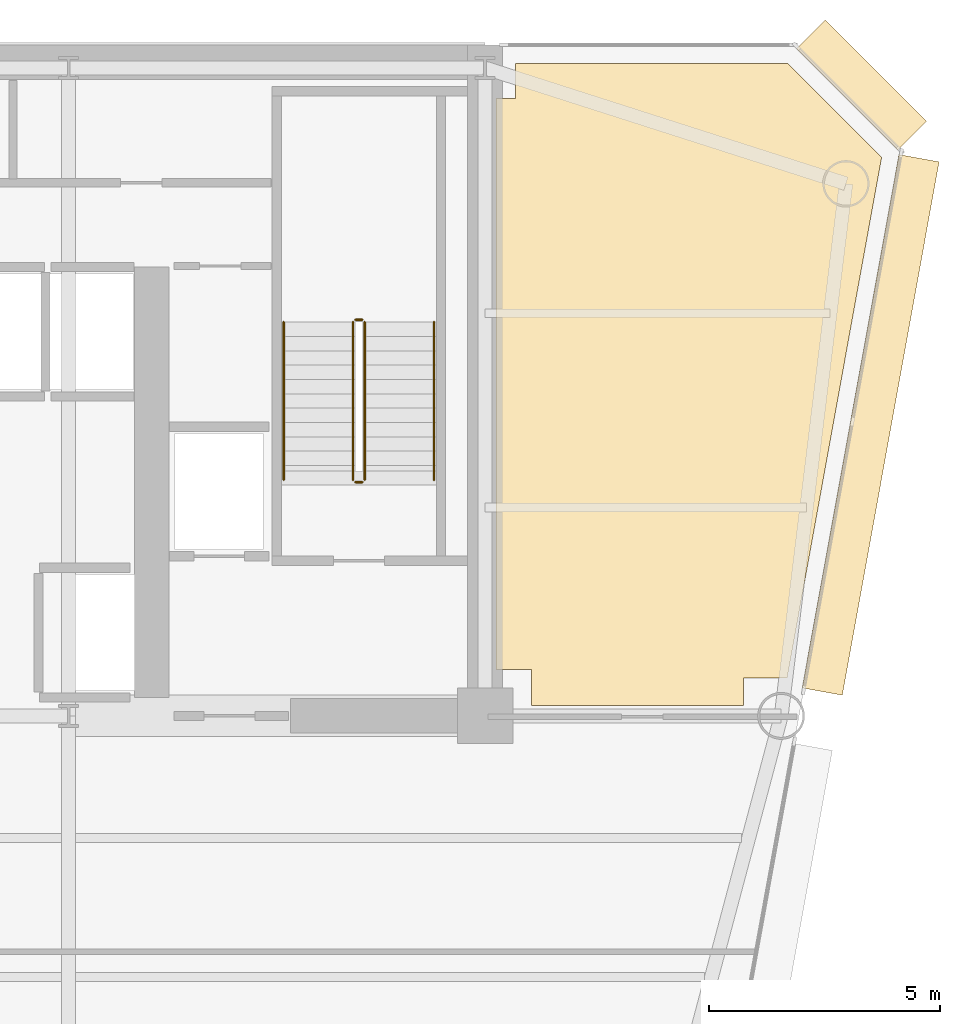
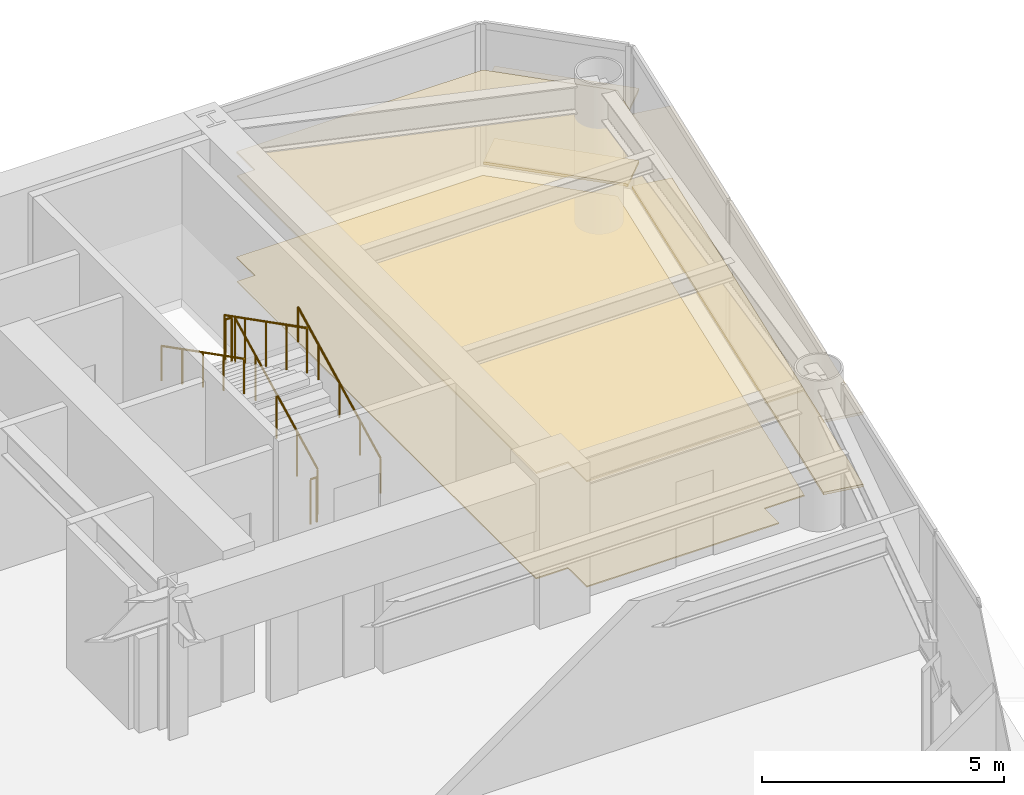
# One storey, part 14 of 14: 6 coverings, 6 railings.
"""IFC4 building model written with IfcOpenShell, lengths in metres."""

from ifc_helpers import new_model, si_unit, direction, frame, origin, origin_2d, place, context, subcontext, project, spatial, polyline, rectangle, circle, outline, extrude, source, transform, mapped, material, layer, layer_set, type_object, element, save


model = new_model("IFC4")

# Units and contexts
model_context = context("Model", 3, precision=1e-05, world=origin(), true_north=direction((0.0, 1.0)))
body_context = subcontext(model_context, "Body", "Model", "MODEL_VIEW")
ifc_project = project(units=[si_unit("LENGTHUNIT", "METRE"), si_unit("AREAUNIT", "SQUARE_METRE"), si_unit("VOLUMEUNIT", "CUBIC_METRE"), si_unit("PLANEANGLEUNIT", "RADIAN"), si_unit("MASSUNIT", "GRAM", prefix="KILO")], contexts=[model_context])

# Site, building, storey
site_placement = place(None, origin())
site = spatial("IfcSite", under=ifc_project, at=site_placement, CompositionType="ELEMENT")
building_placement = place(site_placement, origin())
building = spatial("IfcBuilding", under=site, at=building_placement, Name="Vaeldorn Concourse Tower", CompositionType="ELEMENT")
storey_placement = place(building_placement, frame((0.0, 0.0, 141.39990234375)))
storey = spatial("IfcBuildingStorey", under=building, at=storey_placement, Name="L36", CompositionType="ELEMENT", Elevation=141.39990234375)

# Coverings
ifc_material_1 = material(Name="Acoustic Mineral Fibre Board", Category="gypsum")
ifc_layer_1 = layer(ifc_material_1, 0.0400390625)
ifc_layer_set_1 = layer_set([ifc_layer_1], Name="Acoustic Mineral Fibre Board")
covering_type_1 = type_object("IfcCoveringType", Name="COV-CEIL-ACOUSTIC", PredefinedType="CEILING", material=ifc_layer_set_1)
covering_1_placement = place(storey_placement, frame((0.0, 0.0, 2.650146484375)))
element("IfcCovering", 1, at=covering_1_placement, inside=storey, type_object=covering_type_1, Name="Suspended Acoustic Ceiling L36-5", PredefinedType="CEILING", context=body_context, shape_type="SweptSolid", body=[
    extrude(outline(polyline([(54.659912109375, 49.840087890625), (54.659912109375, 50.60009765625), (60.5341796875, 50.60009765625), (62.569091796875, 48.565185546875), (60.528564453125, 37.320068359375), (59.580078125, 37.320068359375), (59.580078125, 36.719970703125), (55.0, 36.719970703125), (55.0, 37.5), (54.239990234375, 37.5), (54.239990234375, 49.840087890625), (54.659912109375, 49.840087890625)])), origin(), (0.0, 0.0, 1.0), 0.0400390625),
])
ifc_material_2 = material(Name="Honed Limestone Terrazzo Flooring", Category="masonry")
ifc_layer_2 = layer(ifc_material_2, 0.0400390625)
ifc_layer_set_2 = layer_set([ifc_layer_2], Name="Honed Limestone Terrazzo Flooring")
covering_type_2 = type_object("IfcCoveringType", Name="COV-FLOOR-STONE", PredefinedType="FLOORING", material=ifc_layer_set_2)
covering_2_placement = place(storey_placement, origin())
element("IfcCovering", 2, at=covering_2_placement, inside=storey, type_object=covering_type_2, Name="Floor Finish Covering L36-5", PredefinedType="FLOORING", context=body_context, shape_type="SweptSolid", body=[
    extrude(outline(polyline([(54.659912109375, 49.840087890625), (54.659912109375, 50.60009765625), (60.5341796875, 50.60009765625), (62.569091796875, 48.565185546875), (60.528564453125, 37.320068359375), (59.580078125, 37.320068359375), (59.580078125, 36.719970703125), (55.0, 36.719970703125), (55.0, 37.5), (54.239990234375, 37.5), (54.239990234375, 49.840087890625), (54.659912109375, 49.840087890625)])), origin(), (0.0, 0.0, 1.0), 0.030029296875),
])

# Railings
ifc_material_3 = material(Name="Anodised Bronze Aluminium", Category="aluminium")
railing_type_1 = type_object("IfcRailingType", Name="RL-STAIR-GUARD", PredefinedType="GUARDRAIL", material=ifc_material_3)
railing_1_placement = place(storey_placement, frame((51.39990234375, 41.60009765625, 0.158447265625)))
element("IfcRailing", 3, at=railing_1_placement, inside=storey, type_object=railing_type_1, Name="L36 ST-2 stair guard 1", PredefinedType="GUARDRAIL", context=body_context, shape_type="SweptSolid", body=[
    extrude(circle(Radius=0.02392578125, at=origin_2d()), frame((0.0, 0.0, 1.1259765625), z_axis=(0.0, 0.890555807335, 0.454873997962), x_axis=(-1.0, 0.0, 0.0)), (0.0, 0.0, 1.0), 3.828857421875),
    extrude(circle(Radius=0.02099609375, at=origin_2d()), origin(), (0.0, 0.0, 1.0), 1.101806640625),
    extrude(circle(Radius=0.02099609375, at=origin_2d()), frame((0.0, 0.8525390625, 0.435546875)), (0.0, 0.0, 1.0), 1.101806640625),
    extrude(circle(Radius=0.02099609375, at=origin_2d()), frame((0.0, 1.705078125, 0.870849609375)), (0.0, 0.0, 1.0), 1.101806640625),
    extrude(circle(Radius=0.02099609375, at=origin_2d()), frame((0.0, 2.557373046875, 1.30615234375)), (0.0, 0.0, 1.0), 1.101806640625),
    extrude(circle(Radius=0.02099609375, at=origin_2d()), frame((0.0, 3.409912109375, 1.74169921875)), (0.0, 0.0, 1.0), 1.101806640625),
])
railing_2_placement = place(storey_placement, frame((51.35009765625, 45.06005859375, 1.900146484375)))
element("IfcRailing", 4, at=railing_2_placement, inside=storey, type_object=railing_type_1, Name="L36 ST-2 stair guard 2", PredefinedType="GUARDRAIL", context=body_context, shape_type="SweptSolid", body=[
    extrude(circle(Radius=0.02392578125, at=origin_2d()), frame((0.0, 0.0, 1.1259765625), z_axis=(-1.0, 0.0, 0.0), x_axis=(0.0, -1.0, 0.0)), (0.0, 0.0, 1.0), 0.150146484375),
    extrude(circle(Radius=0.02099609375, at=origin_2d()), origin(), (0.0, 0.0, 1.0), 1.101806640625),
    extrude(circle(Radius=0.02099609375, at=origin_2d()), frame((-0.150146484375, 0.0, 0.0)), (0.0, 0.0, 1.0), 1.101806640625),
])
railing_3_placement = place(storey_placement, frame((51.14990234375, 45.010009765625, 2.058349609375)))
element("IfcRailing", 5, at=railing_3_placement, inside=storey, type_object=railing_type_1, Name="L36 ST-2 stair guard 3", PredefinedType="GUARDRAIL", context=body_context, shape_type="SweptSolid", body=[
    extrude(circle(Radius=0.02392578125, at=origin_2d()), frame((0.0, 0.0, 1.1259765625), z_axis=(0.0, -0.890555807335, 0.454873997962), x_axis=(1.0, 0.0, 0.0)), (0.0, 0.0, 1.0), 3.828857421875),
    extrude(circle(Radius=0.02099609375, at=origin_2d()), origin(), (0.0, 0.0, 1.0), 1.101806640625),
    extrude(circle(Radius=0.02099609375, at=origin_2d()), frame((0.0, -0.8525390625, 0.435546875)), (0.0, 0.0, 1.0), 1.101806640625),
    extrude(circle(Radius=0.02099609375, at=origin_2d()), frame((0.0, -1.705078125, 0.870849609375)), (0.0, 0.0, 1.0), 1.101806640625),
    extrude(circle(Radius=0.02099609375, at=origin_2d()), frame((0.0, -2.557373046875, 1.30615234375)), (0.0, 0.0, 1.0), 1.101806640625),
    extrude(circle(Radius=0.02099609375, at=origin_2d()), frame((0.0, -3.409912109375, 1.74169921875)), (0.0, 0.0, 1.0), 1.101806640625),
])
railing_4_placement = place(storey_placement, frame((51.35009765625, 41.550048828125, 0.0)))
element("IfcRailing", 6, at=railing_4_placement, inside=storey, type_object=railing_type_1, Name="L36 ST-2 stair guard 4", PredefinedType="GUARDRAIL", context=body_context, shape_type="SweptSolid", body=[
    extrude(circle(Radius=0.02392578125, at=origin_2d()), frame((0.0, 0.0, 1.1259765625), z_axis=(-1.0, 0.0, 0.0), x_axis=(0.0, -1.0, 0.0)), (0.0, 0.0, 1.0), 0.150146484375),
    extrude(circle(Radius=0.02099609375, at=origin_2d()), origin(), (0.0, 0.0, 1.0), 1.101806640625),
    extrude(circle(Radius=0.02099609375, at=origin_2d()), frame((-0.150146484375, 0.0, 0.0)), (0.0, 0.0, 1.0), 1.101806640625),
])
railing_type_2 = type_object("IfcRailingType", Name="RL-STAIR-HANDRAIL", PredefinedType="HANDRAIL", material=ifc_material_3)
railing_5_placement = place(storey_placement, frame((52.89990234375, 41.60009765625, 0.158447265625)))
element("IfcRailing", 7, at=railing_5_placement, inside=storey, type_object=railing_type_2, Name="L36 ST-2 stair handrail 1", PredefinedType="HANDRAIL", context=body_context, shape_type="SweptSolid", body=[
    extrude(circle(Radius=0.02392578125, at=origin_2d()), frame((0.0, 0.0, 0.8759765625), z_axis=(0.0, 0.890555807335, 0.454873997962), x_axis=(-1.0, 0.0, 0.0)), (0.0, 0.0, 1.0), 3.828857421875),
    extrude(circle(Radius=0.02099609375, at=origin_2d()), origin(), (0.0, 0.0, 1.0), 0.851806640625),
    extrude(circle(Radius=0.02099609375, at=origin_2d()), frame((0.0, 0.8525390625, 0.435546875)), (0.0, 0.0, 1.0), 0.851806640625),
    extrude(circle(Radius=0.02099609375, at=origin_2d()), frame((0.0, 1.705078125, 0.870849609375)), (0.0, 0.0, 1.0), 0.851806640625),
    extrude(circle(Radius=0.02099609375, at=origin_2d()), frame((0.0, 2.557373046875, 1.30615234375)), (0.0, 0.0, 1.0), 0.851806640625),
    extrude(circle(Radius=0.02099609375, at=origin_2d()), frame((0.0, 3.409912109375, 1.74169921875)), (0.0, 0.0, 1.0), 0.851806640625),
])
railing_6_placement = place(storey_placement, frame((49.64990234375, 45.010009765625, 2.058349609375)))
element("IfcRailing", 8, at=railing_6_placement, inside=storey, type_object=railing_type_2, Name="L36 ST-2 stair handrail 2", PredefinedType="HANDRAIL", context=body_context, shape_type="SweptSolid", body=[
    extrude(circle(Radius=0.02392578125, at=origin_2d()), frame((0.0, 0.0, 0.8759765625), z_axis=(0.0, -0.890555807335, 0.454873997962), x_axis=(1.0, 0.0, 0.0)), (0.0, 0.0, 1.0), 3.828857421875),
    extrude(circle(Radius=0.02099609375, at=origin_2d()), origin(), (0.0, 0.0, 1.0), 0.851806640625),
    extrude(circle(Radius=0.02099609375, at=origin_2d()), frame((0.0, -0.8525390625, 0.435546875)), (0.0, 0.0, 1.0), 0.851806640625),
    extrude(circle(Radius=0.02099609375, at=origin_2d()), frame((0.0, -1.705078125, 0.870849609375)), (0.0, 0.0, 1.0), 0.851806640625),
    extrude(circle(Radius=0.02099609375, at=origin_2d()), frame((0.0, -2.557373046875, 1.30615234375)), (0.0, 0.0, 1.0), 0.851806640625),
    extrude(circle(Radius=0.02099609375, at=origin_2d()), frame((0.0, -3.409912109375, 1.74169921875)), (0.0, 0.0, 1.0), 0.851806640625),
])

# Coverings
ifc_layer_3 = layer(ifc_material_3, 0.06494140625)
ifc_layer_set_3 = layer_set([ifc_layer_3], Name="Anodised Bronze Aluminium")
covering_type_3 = type_object("IfcCoveringType", Name="SD-BRONZE-SUNSHADE", PredefinedType="USERDEFINED", material=ifc_layer_set_3)
shared_shape_1 = source(origin(), body_context, "Body", "SweptSolid", [
    extrude(rectangle(XDim=3.0927734375, YDim=0.8798828125, at=origin_2d()), origin(), (0.0, 0.0, 1.0), 0.06494140625),
])
for number, where, z_axis, x_axis, name in (
    (9, (62.1328125, 50.1328125, 0.047607421875), (0.0, 0.0, 1.0), (-0.707106781187, 0.707106781187, 0.0), "Horizontal Bronze Sunshade L36-E08.1.1"),
    (10, (62.1328125, 50.1328125, 1.86767578125), (0.0, 0.0, 1.0), (-0.707106781187, 0.707106781187, 0.0), "Horizontal Bronze Sunshade L36-E08.1.2"),
):
    element("IfcCovering", number, at=place(storey_placement, frame(where, z_axis=z_axis, x_axis=x_axis)), inside=storey, type_object=covering_type_3, Name=name, ObjectType="SUNSHADE", PredefinedType="USERDEFINED", context=body_context, shape_type="MappedRepresentation", body=[
        mapped(shared_shape_1, transform((0.0, 0.0, 0.0), scale=1.0)),
    ])
shared_shape_2 = source(origin(), body_context, "Body", "SweptSolid", [
    extrude(rectangle(XDim=11.712646484375, YDim=0.8798828125, at=origin_2d()), origin(), (0.0, 0.0, 1.0), 0.06494140625),
])
for number, where, z_axis, x_axis, name in (
    (11, (62.333740234375, 42.78759765625, 0.047607421875), (0.0, 0.0, 1.0), (0.178527455614, 0.983934930568, 0.0), "Horizontal Bronze Sunshade L36-E07.2.1"),
    (12, (62.333740234375, 42.78759765625, 1.86767578125), (0.0, 0.0, 1.0), (0.178527455614, 0.983934930568, 0.0), "Horizontal Bronze Sunshade L36-E07.2.2"),
):
    element("IfcCovering", number, at=place(storey_placement, frame(where, z_axis=z_axis, x_axis=x_axis)), inside=storey, type_object=covering_type_3, Name=name, ObjectType="SUNSHADE", PredefinedType="USERDEFINED", context=body_context, shape_type="MappedRepresentation", body=[
        mapped(shared_shape_2, transform((0.0, 0.0, 0.0), scale=1.0)),
    ])

save(model, "model.ifc")
